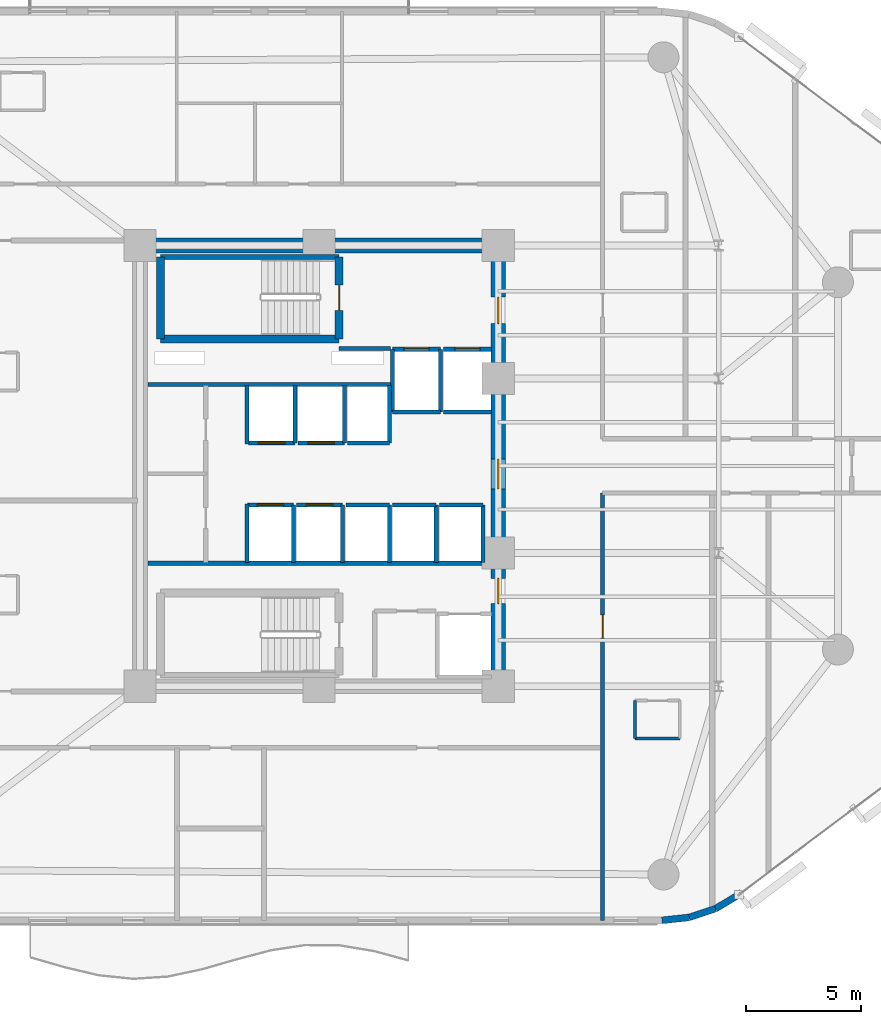
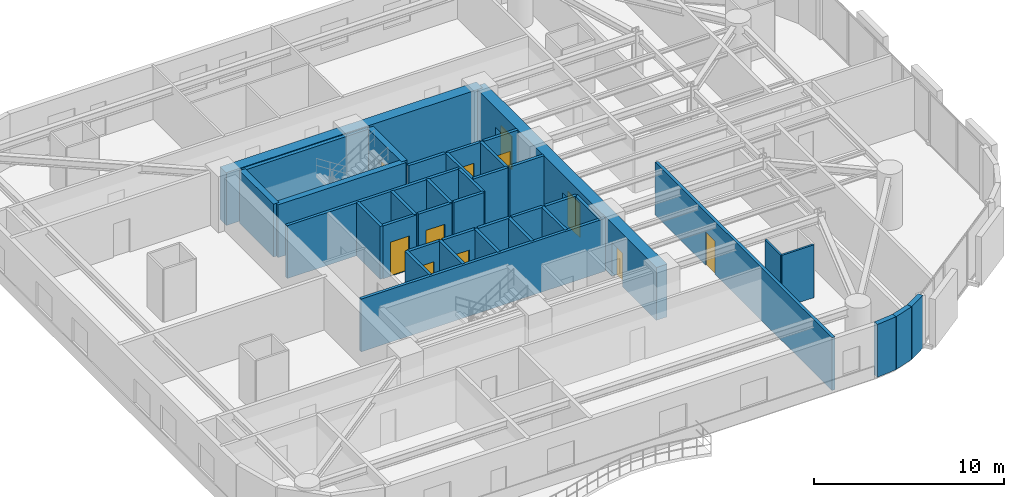
# One storey, part 11 of 16: 39 walls, 11 doors, 11 openings.
"""IFC4 building model written with IfcOpenShell, lengths in metres."""

from ifc_helpers import new_model, si_unit, direction, frame, frame_2d, origin, place, context, subcontext, project, spatial, rectangle, extrude, material, layer, layer_set, type_object, element, fill, save


model = new_model("IFC4")

# Units and contexts
model_context = context("Model", 3, precision=1e-05, world=origin(), true_north=direction((0.0, 1.0)))
body_context = subcontext(model_context, "Body", "Model", "MODEL_VIEW")
ifc_project = project(units=[si_unit("LENGTHUNIT", "METRE"), si_unit("AREAUNIT", "SQUARE_METRE"), si_unit("VOLUMEUNIT", "CUBIC_METRE"), si_unit("PLANEANGLEUNIT", "RADIAN"), si_unit("MASSUNIT", "GRAM", prefix="KILO")], contexts=[model_context])

# Site, building, storey
site_placement = place(None, origin())
site = spatial("IfcSite", under=ifc_project, at=site_placement, CompositionType="ELEMENT")
building_placement = place(site_placement, origin())
building = spatial("IfcBuilding", under=site, at=building_placement, Name="An Khanh Terracotta Commons", CompositionType="ELEMENT")
storey_placement = place(building_placement, frame((0.0, 0.0, 89.89990234375)))
storey = spatial("IfcBuildingStorey", under=building, at=storey_placement, Name="L23", CompositionType="ELEMENT", Elevation=89.89990234375)

# Wall
ifc_material_1 = material(Name="Concrete C60/75", Category="concrete")
ifc_layer_1 = layer(ifc_material_1, 0.64990234375, Name="Concrete C60/75")
ifc_layer_set_1 = layer_set([ifc_layer_1], Name="Concrete C60/75")
wall_type_1 = type_object("IfcWallType", Name="WALL-CORE-650", PredefinedType="SHEAR", material=ifc_layer_set_1)
wall_1_placement = place(storey_placement, frame((21.60009765625, 33.60009765625, 0.0), z_axis=(0.0, 0.0, 1.0), x_axis=(1.0, 0.0, 0.0)))
element("IfcWall", 1, at=wall_1_placement, inside=storey, type_object=wall_type_1, Name="L23 Core Wall CWALL-L23-N", PredefinedType="SHEAR", context=body_context, shape_type="SweptSolid", body=[
    extrude(rectangle(XDim=15.599853515625, YDim=0.64990234375, at=frame_2d((7.7998046875, 0.0))), origin(), (0.0, 0.0, 1.0), 3.400146484375),
])

# Wall, openings, doors
wall_2_placement = place(storey_placement, frame((37.199951171875, 14.39990234375, 0.0), z_axis=(0.0, 0.0, 1.0), x_axis=(0.0, 1.0, 0.0)))
wall_2 = element("IfcWall", 2, at=wall_2_placement, inside=storey, type_object=wall_type_1, Name="L23 Core Wall CWALL-L23-E", PredefinedType="SHEAR", context=body_context, shape_type="SweptSolid", body=[
    extrude(rectangle(XDim=19.2001953125, YDim=0.64990234375, at=frame_2d((9.60009765625, 0.0))), origin(), (0.0, 0.0, 1.0), 3.400146484375),
])
opening_1_placement = place(wall_2_placement, frame((15.800048828125, 0.0, 0.0)))
opening_1 = element("IfcOpeningElement", 3, at=opening_1_placement, cuts=wall_2, Name="Opening D-FFL", PredefinedType="OPENING", context=body_context, shape_type="SweptSolid", body=[
    extrude(rectangle(XDim=1.14990234375, YDim=2.14990234375, at=frame_2d((0.574951171875, 1.074951171875))), frame((0.0, 0.3349609375, 0.0), z_axis=(0.0, -1.0, 0.0), x_axis=(1.0, 0.0, 0.0)), (0.0, 0.0, 1.0), 0.669921875),
])
opening_2_placement = place(wall_2_placement, frame((3.60009765625, 0.0, 0.0)))
opening_2 = element("IfcOpeningElement", 4, at=opening_2_placement, cuts=wall_2, Name="Opening D-ST", PredefinedType="OPENING", context=body_context, shape_type="SweptSolid", body=[
    extrude(rectangle(XDim=1.10009765625, YDim=2.14990234375, at=frame_2d((0.550048828125, 1.074951171875))), frame((0.0, 0.3349609375, 0.0), z_axis=(0.0, -1.0, 0.0), x_axis=(1.0, 0.0, 0.0)), (0.0, 0.0, 1.0), 0.669921875),
])
opening_3_placement = place(wall_2_placement, frame((8.60009765625, 0.0, 0.0)))
opening_3 = element("IfcOpeningElement", 5, at=opening_3_placement, cuts=wall_2, Name="Opening D-COR", PredefinedType="OPENING", context=body_context, shape_type="SweptSolid", body=[
    extrude(rectangle(XDim=1.300048828125, YDim=2.199951171875, at=frame_2d((0.64990234375, 1.10009765625))), frame((0.0, 0.3349609375, 0.0), z_axis=(0.0, -1.0, 0.0), x_axis=(1.0, 0.0, 0.0)), (0.0, 0.0, 1.0), 0.669921875),
])
ifc_material_2 = material(Name="Fire-Rated Glazed Steel Double Door", Category="steel")
door_type_1 = type_object("IfcDoorType", Name="DOOR-CORR-1300", OperationType="NOTDEFINED", PredefinedType="DOOR", material=ifc_material_2)
door_1_placement = place(opening_3_placement, origin())
door_1 = element("IfcDoor", 6, at=door_1_placement, inside=storey, type_object=door_type_1, Name="L23 Passenger Lift Lobby Double Door", OperationType="DOUBLE_DOOR_SINGLE_SWING", OverallHeight=2.199951171875, OverallWidth=1.300048828125, PredefinedType="DOOR", context=body_context, shape_type="SweptSolid", body=[
    extrude(rectangle(XDim=1.300048828125, YDim=2.199951171875, at=frame_2d((0.64990234375, 1.10009765625))), frame((0.0, 0.02490234375, 0.0), z_axis=(0.0, -1.0, 0.0), x_axis=(1.0, 0.0, 0.0)), (0.0, 0.0, 1.0), 0.050048828125),
])
fill(opening_3, door_1)
ifc_material_3 = material(Name="Fire-Rated Steel Leaf and Vision Panel", Category="steel")
door_type_2 = type_object("IfcDoorType", Name="DOOR-FFL-1150", OperationType="NOTDEFINED", PredefinedType="DOOR", material=ifc_material_3)
door_2_placement = place(opening_1_placement, origin())
door_2 = element("IfcDoor", 7, at=door_2_placement, inside=storey, type_object=door_type_2, Name="L23 Firefighting Lift Lobby Fire Door", OperationType="SINGLE_SWING_LEFT", OverallHeight=2.14990234375, OverallWidth=1.14990234375, PredefinedType="DOOR", context=body_context, shape_type="SweptSolid", body=[
    extrude(rectangle(XDim=1.14990234375, YDim=2.14990234375, at=frame_2d((0.574951171875, 1.074951171875))), frame((0.0, 0.02490234375, 0.0), z_axis=(0.0, -1.0, 0.0), x_axis=(1.0, 0.0, 0.0)), (0.0, 0.0, 1.0), 0.050048828125),
])
fill(opening_1, door_2)
ifc_material_4 = material(Name="Fire-Rated Steel Leaf and Frame", Category="steel")
door_type_3 = type_object("IfcDoorType", Name="DOOR-STAIR-1100", OperationType="NOTDEFINED", PredefinedType="DOOR", material=ifc_material_4)
door_3_placement = place(opening_2_placement, origin())
door_3 = element("IfcDoor", 8, at=door_3_placement, inside=storey, type_object=door_type_3, Name="L23 South Stair Lobby Fire Door", OperationType="SINGLE_SWING_RIGHT", OverallHeight=2.14990234375, OverallWidth=1.10009765625, PredefinedType="DOOR", context=body_context, shape_type="SweptSolid", body=[
    extrude(rectangle(XDim=1.10009765625, YDim=2.14990234375, at=frame_2d((0.550048828125, 1.074951171875))), frame((0.0, 0.02490234375, 0.0), z_axis=(0.0, -1.0, 0.0), x_axis=(1.0, 0.0, 0.0)), (0.0, 0.0, 1.0), 0.050048828125),
])
fill(opening_2, door_3)

# Walls
ifc_material_5 = material(Name="Fire-Rated Gypsum Board on Steel Stud", Category="steel")
ifc_layer_2 = layer(ifc_material_5, 0.179931640625, Name="Fire-Rated Gypsum Board on Steel Stud")
ifc_layer_set_2 = layer_set([ifc_layer_2], Name="Fire-Rated Gypsum Board on Steel Stud")
wall_type_2 = type_object("IfcWallType", Name="WALL-CORR-180", PredefinedType="PARTITIONING", material=ifc_layer_set_2)
wall_3_placement = place(storey_placement, frame((30.27001953125, 29.1201171875, 0.0), z_axis=(0.0, 0.0, 1.0), x_axis=(1.0, 0.0, 0.0)))
element("IfcWall", 9, at=wall_3_placement, inside=storey, type_object=wall_type_2, Name="L23 Core Wall FFLW-L23-S", PredefinedType="PARTITIONING", context=body_context, shape_type="SweptSolid", body=[
    extrude(rectangle(XDim=2.239990234375, YDim=0.179931640625, at=frame_2d((1.1201171875, 0.0))), origin(), (0.0, 0.0, 1.0), 3.400146484375),
])
wall_4_placement = place(storey_placement, frame((21.949951171875, 27.5400390625, 0.0), z_axis=(0.0, 0.0, 1.0), x_axis=(1.0, 0.0, 0.0)))
element("IfcWall", 10, at=wall_4_placement, inside=storey, type_object=wall_type_2, Name="L23 Core Wall RSRW-L23-S", PredefinedType="PARTITIONING", context=body_context, shape_type="SweptSolid", body=[
    extrude(rectangle(XDim=10.56005859375, YDim=0.179931640625, at=frame_2d((5.280029296875, 0.0))), origin(), (0.0, 0.0, 1.0), 3.400146484375),
])
wall_5_placement = place(storey_placement, frame((21.949951171875, 19.760009765625, 0.0), z_axis=(0.0, 0.0, 1.0), x_axis=(1.0, 0.0, 0.0)))
element("IfcWall", 11, at=wall_5_placement, inside=storey, type_object=wall_type_2, Name="L23 Core Wall SVW-L23-N", PredefinedType="PARTITIONING", context=body_context, shape_type="SweptSolid", body=[
    extrude(rectangle(XDim=14.8701171875, YDim=0.179931640625, at=frame_2d((7.43505859375, 0.0))), origin(), (0.0, 0.0, 1.0), 3.400146484375),
])

# Wall, opening, door
wall_6_placement = place(storey_placement, frame((32.60009765625, 29.080078125, 0.0), z_axis=(0.0, 0.0, 1.0), x_axis=(1.0, 0.0, 0.0)))
wall_6 = element("IfcWall", 12, at=wall_6_placement, inside=storey, type_object=wall_type_2, Name="L23 Core Wall LSH-L23-FFL-01-N", PredefinedType="PARTITIONING", context=body_context, shape_type="SweptSolid", body=[
    extrude(rectangle(XDim=2.079833984375, YDim=0.179931640625, at=frame_2d((1.0400390625, 0.0))), origin(), (0.0, 0.0, 1.0), 3.400146484375),
])
opening_4_placement = place(wall_6_placement, frame((0.489990234375, 0.0, 0.0)))
opening_4 = element("IfcOpeningElement", 13, at=opening_4_placement, cuts=wall_6, Name="Opening LD-FFL-01-L23", PredefinedType="OPENING", context=body_context, shape_type="SweptSolid", body=[
    extrude(rectangle(XDim=1.10009765625, YDim=2.199951171875, at=frame_2d((0.550048828125, 1.10009765625))), frame((0.0, 0.099853515625, 0.0), z_axis=(0.0, -1.0, 0.0), x_axis=(1.0, 0.0, 0.0)), (0.0, 0.0, 1.0), 0.199951171875),
])
ifc_material_6 = material(Name="Brushed Stainless Steel Fire Landing Door", Category="steel")
door_type_4 = type_object("IfcDoorType", Name="DOOR-LD-FFL-1100", OperationType="NOTDEFINED", PredefinedType="DOOR", material=ifc_material_6)
door_4_placement = place(opening_4_placement, origin())
door_4 = element("IfcDoor", 14, at=door_4_placement, inside=storey, type_object=door_type_4, Name="L23 Lift FFL-01 Sliding Landing Door", OperationType="DOUBLE_DOOR_SLIDING", OverallHeight=2.199951171875, OverallWidth=1.10009765625, PredefinedType="DOOR", context=body_context, shape_type="SweptSolid", body=[
    extrude(rectangle(XDim=1.10009765625, YDim=2.199951171875, at=frame_2d((0.550048828125, 1.10009765625))), frame((0.0, 0.02490234375, 0.0), z_axis=(0.0, -1.0, 0.0), x_axis=(1.0, 0.0, 0.0)), (0.0, 0.0, 1.0), 0.050048828125),
])
fill(opening_4, door_4)

# Walls
wall_7_placement = place(storey_placement, frame((34.679931640625, 26.35009765625, 0.0), z_axis=(0.0, 0.0, 1.0), x_axis=(-1.0, 0.0, 0.0)))
element("IfcWall", 15, at=wall_7_placement, inside=storey, type_object=wall_type_2, Name="L23 Core Wall LSH-L23-FFL-01-S", PredefinedType="PARTITIONING", context=body_context, shape_type="SweptSolid", body=[
    extrude(rectangle(XDim=2.079833984375, YDim=0.179931640625, at=frame_2d((1.0400390625, 0.0))), origin(), (0.0, 0.0, 1.0), 3.400146484375),
])
for number, where, z_axis, x_axis, name in (
    (16, (34.679931640625, 26.35009765625, 0.0), (0.0, 0.0, 1.0), (0.0, 1.0, 0.0), "L23 Core Wall LSH-L23-FFL-01-E"),
    (17, (32.60009765625, 29.080078125, 0.0), (0.0, 0.0, 1.0), (0.0, -1.0, 0.0), "L23 Core Wall LSH-L23-FFL-01-W"),
):
    element("IfcWall", number, at=place(storey_placement, frame(where, z_axis=z_axis, x_axis=x_axis)), inside=storey, type_object=wall_type_2, Name=name, PredefinedType="PARTITIONING", context=body_context, shape_type="SweptSolid", body=[
        extrude(rectangle(XDim=2.72998046875, YDim=0.179931640625, at=frame_2d((1.364990234375, 0.0))), origin(), (0.0, 0.0, 1.0), 3.400146484375),
    ])

# Wall, opening, door
wall_8_placement = place(storey_placement, frame((34.820068359375, 29.080078125, 0.0), z_axis=(0.0, 0.0, 1.0), x_axis=(1.0, 0.0, 0.0)))
wall_8 = element("IfcWall", 18, at=wall_8_placement, inside=storey, type_object=wall_type_2, Name="L23 Core Wall LSH-L23-FFL-02-N", PredefinedType="PARTITIONING", context=body_context, shape_type="SweptSolid", body=[
    extrude(rectangle(XDim=2.079833984375, YDim=0.179931640625, at=frame_2d((1.0400390625, 0.0))), origin(), (0.0, 0.0, 1.0), 3.400146484375),
])
opening_5_placement = place(wall_8_placement, frame((0.489990234375, 0.0, 0.0)))
opening_5 = element("IfcOpeningElement", 19, at=opening_5_placement, cuts=wall_8, Name="Opening LD-FFL-02-L23", PredefinedType="OPENING", context=body_context, shape_type="SweptSolid", body=[
    extrude(rectangle(XDim=1.10009765625, YDim=2.199951171875, at=frame_2d((0.550048828125, 1.10009765625))), frame((0.0, 0.099853515625, 0.0), z_axis=(0.0, -1.0, 0.0), x_axis=(1.0, 0.0, 0.0)), (0.0, 0.0, 1.0), 0.199951171875),
])
door_5_placement = place(opening_5_placement, origin())
door_5 = element("IfcDoor", 20, at=door_5_placement, inside=storey, type_object=door_type_4, Name="L23 Lift FFL-02 Sliding Landing Door", OperationType="DOUBLE_DOOR_SLIDING", OverallHeight=2.199951171875, OverallWidth=1.10009765625, PredefinedType="DOOR", context=body_context, shape_type="SweptSolid", body=[
    extrude(rectangle(XDim=1.10009765625, YDim=2.199951171875, at=frame_2d((0.550048828125, 1.10009765625))), frame((0.0, 0.02490234375, 0.0), z_axis=(0.0, -1.0, 0.0), x_axis=(1.0, 0.0, 0.0)), (0.0, 0.0, 1.0), 0.050048828125),
])
fill(opening_5, door_5)

# Wall
wall_9_placement = place(storey_placement, frame((36.89990234375, 26.35009765625, 0.0), z_axis=(0.0, 0.0, 1.0), x_axis=(-1.0, 0.0, 0.0)))
element("IfcWall", 21, at=wall_9_placement, inside=storey, type_object=wall_type_2, Name="L23 Core Wall LSH-L23-FFL-02-S", PredefinedType="PARTITIONING", context=body_context, shape_type="SweptSolid", body=[
    extrude(rectangle(XDim=2.079833984375, YDim=0.179931640625, at=frame_2d((1.0400390625, 0.0))), origin(), (0.0, 0.0, 1.0), 3.400146484375),
])

# Wall, opening, door
wall_10_placement = place(storey_placement, frame((28.340087890625, 25.0, 0.0), z_axis=(0.0, 0.0, 1.0), x_axis=(-1.0, 0.0, 0.0)))
wall_10 = element("IfcWall", 22, at=wall_10_placement, inside=storey, type_object=wall_type_2, Name="L23 Core Wall LSH-L23-PL-M1-S", PredefinedType="PARTITIONING", context=body_context, shape_type="SweptSolid", body=[
    extrude(rectangle(XDim=2.02001953125, YDim=0.179931640625, at=frame_2d((1.010009765625, 0.0))), origin(), (0.0, 0.0, 1.0), 3.400146484375),
])
opening_6_placement = place(wall_10_placement, frame((0.43505859375, 0.0, 0.0)))
opening_6 = element("IfcOpeningElement", 23, at=opening_6_placement, cuts=wall_10, Name="Opening LD-PL-M1-L23", PredefinedType="OPENING", context=body_context, shape_type="SweptSolid", body=[
    extrude(rectangle(XDim=1.14990234375, YDim=2.199951171875, at=frame_2d((0.574951171875, 1.10009765625))), frame((0.0, 0.099853515625, 0.0), z_axis=(0.0, -1.0, 0.0), x_axis=(1.0, 0.0, 0.0)), (0.0, 0.0, 1.0), 0.199951171875),
])
ifc_material_7 = material(Name="Brushed Stainless Steel Passenger Landing Door", Category="steel")
door_type_5 = type_object("IfcDoorType", Name="DOOR-LD-PAX-1150", OperationType="NOTDEFINED", PredefinedType="DOOR", material=ifc_material_7)
door_6_placement = place(opening_6_placement, origin())
door_6 = element("IfcDoor", 24, at=door_6_placement, inside=storey, type_object=door_type_5, Name="L23 Lift PL-M1 Sliding Landing Door", OperationType="DOUBLE_DOOR_SLIDING", OverallHeight=2.199951171875, OverallWidth=1.14990234375, PredefinedType="DOOR", context=body_context, shape_type="SweptSolid", body=[
    extrude(rectangle(XDim=1.14990234375, YDim=2.199951171875, at=frame_2d((0.574951171875, 1.10009765625))), frame((0.0, 0.02490234375, 0.0), z_axis=(0.0, -1.0, 0.0), x_axis=(1.0, 0.0, 0.0)), (0.0, 0.0, 1.0), 0.050048828125),
])
fill(opening_6, door_6)

# Wall
wall_11_placement = place(storey_placement, frame((28.340087890625, 25.0, 0.0), z_axis=(0.0, 0.0, 1.0), x_axis=(0.0, 1.0, 0.0)))
element("IfcWall", 25, at=wall_11_placement, inside=storey, type_object=wall_type_2, Name="L23 Core Wall LSH-L23-PL-M1-E", PredefinedType="PARTITIONING", context=body_context, shape_type="SweptSolid", body=[
    extrude(rectangle(XDim=2.5, YDim=0.179931640625, at=frame_2d((1.25, 0.0))), origin(), (0.0, 0.0, 1.0), 3.400146484375),
])

# Wall, opening, door
wall_12_placement = place(storey_placement, frame((30.5, 25.0, 0.0), z_axis=(0.0, 0.0, 1.0), x_axis=(-1.0, 0.0, 0.0)))
wall_12 = element("IfcWall", 26, at=wall_12_placement, inside=storey, type_object=wall_type_2, Name="L23 Core Wall LSH-L23-PL-M2-S", PredefinedType="PARTITIONING", context=body_context, shape_type="SweptSolid", body=[
    extrude(rectangle(XDim=2.02001953125, YDim=0.179931640625, at=frame_2d((1.010009765625, 0.0))), origin(), (0.0, 0.0, 1.0), 3.400146484375),
])
opening_7_placement = place(wall_12_placement, frame((0.43505859375, 0.0, 0.0)))
opening_7 = element("IfcOpeningElement", 27, at=opening_7_placement, cuts=wall_12, Name="Opening LD-PL-M2-L23", PredefinedType="OPENING", context=body_context, shape_type="SweptSolid", body=[
    extrude(rectangle(XDim=1.14990234375, YDim=2.199951171875, at=frame_2d((0.574951171875, 1.10009765625))), frame((0.0, 0.099853515625, 0.0), z_axis=(0.0, -1.0, 0.0), x_axis=(1.0, 0.0, 0.0)), (0.0, 0.0, 1.0), 0.199951171875),
])
door_7_placement = place(opening_7_placement, origin())
door_7 = element("IfcDoor", 28, at=door_7_placement, inside=storey, type_object=door_type_5, Name="L23 Lift PL-M2 Sliding Landing Door", OperationType="DOUBLE_DOOR_SLIDING", OverallHeight=2.199951171875, OverallWidth=1.14990234375, PredefinedType="DOOR", context=body_context, shape_type="SweptSolid", body=[
    extrude(rectangle(XDim=1.14990234375, YDim=2.199951171875, at=frame_2d((0.574951171875, 1.10009765625))), frame((0.0, 0.02490234375, 0.0), z_axis=(0.0, -1.0, 0.0), x_axis=(1.0, 0.0, 0.0)), (0.0, 0.0, 1.0), 0.050048828125),
])
fill(opening_7, door_7)

# Wall
wall_13_placement = place(storey_placement, frame((30.5, 25.0, 0.0), z_axis=(0.0, 0.0, 1.0), x_axis=(0.0, 1.0, 0.0)))
element("IfcWall", 29, at=wall_13_placement, inside=storey, type_object=wall_type_2, Name="L23 Core Wall LSH-L23-PL-M2-E", PredefinedType="PARTITIONING", context=body_context, shape_type="SweptSolid", body=[
    extrude(rectangle(XDim=2.5, YDim=0.179931640625, at=frame_2d((1.25, 0.0))), origin(), (0.0, 0.0, 1.0), 3.400146484375),
])

# Wall, opening, door
wall_14_placement = place(storey_placement, frame((26.280029296875, 22.300048828125, 0.0), z_axis=(0.0, 0.0, 1.0), x_axis=(1.0, 0.0, 0.0)))
wall_14 = element("IfcWall", 30, at=wall_14_placement, inside=storey, type_object=wall_type_2, Name="L23 Core Wall LSH-L23-PL-M3-N", PredefinedType="PARTITIONING", context=body_context, shape_type="SweptSolid", body=[
    extrude(rectangle(XDim=2.0, YDim=0.179931640625, at=frame_2d((1.0, 0.0))), origin(), (0.0, 0.0, 1.0), 3.400146484375),
])
opening_8_placement = place(wall_14_placement, frame((0.425048828125, 0.0, 0.0)))
opening_8 = element("IfcOpeningElement", 31, at=opening_8_placement, cuts=wall_14, Name="Opening LD-PL-M3-L23", PredefinedType="OPENING", context=body_context, shape_type="SweptSolid", body=[
    extrude(rectangle(XDim=1.14990234375, YDim=2.199951171875, at=frame_2d((0.574951171875, 1.10009765625))), frame((0.0, 0.099853515625, 0.0), z_axis=(0.0, -1.0, 0.0), x_axis=(1.0, 0.0, 0.0)), (0.0, 0.0, 1.0), 0.199951171875),
])
door_8_placement = place(opening_8_placement, origin())
door_8 = element("IfcDoor", 32, at=door_8_placement, inside=storey, type_object=door_type_5, Name="L23 Lift PL-M3 Sliding Landing Door", OperationType="DOUBLE_DOOR_SLIDING", OverallHeight=2.199951171875, OverallWidth=1.14990234375, PredefinedType="DOOR", context=body_context, shape_type="SweptSolid", body=[
    extrude(rectangle(XDim=1.14990234375, YDim=2.199951171875, at=frame_2d((0.574951171875, 1.10009765625))), frame((0.0, 0.02490234375, 0.0), z_axis=(0.0, -1.0, 0.0), x_axis=(1.0, 0.0, 0.0)), (0.0, 0.0, 1.0), 0.050048828125),
])
fill(opening_8, door_8)

# Wall
wall_15_placement = place(storey_placement, frame((28.280029296875, 19.800048828125, 0.0), z_axis=(0.0, 0.0, 1.0), x_axis=(0.0, 1.0, 0.0)))
element("IfcWall", 33, at=wall_15_placement, inside=storey, type_object=wall_type_2, Name="L23 Core Wall LSH-L23-PL-M3-E", PredefinedType="PARTITIONING", context=body_context, shape_type="SweptSolid", body=[
    extrude(rectangle(XDim=2.5, YDim=0.179931640625, at=frame_2d((1.25, 0.0))), origin(), (0.0, 0.0, 1.0), 3.400146484375),
])

# Wall, opening, door
wall_16_placement = place(storey_placement, frame((28.419921875, 22.300048828125, 0.0), z_axis=(0.0, 0.0, 1.0), x_axis=(1.0, 0.0, 0.0)))
wall_16 = element("IfcWall", 34, at=wall_16_placement, inside=storey, type_object=wall_type_2, Name="L23 Core Wall LSH-L23-PL-M4-N", PredefinedType="PARTITIONING", context=body_context, shape_type="SweptSolid", body=[
    extrude(rectangle(XDim=2.0, YDim=0.179931640625, at=frame_2d((1.0, 0.0))), origin(), (0.0, 0.0, 1.0), 3.400146484375),
])
opening_9_placement = place(wall_16_placement, frame((0.425048828125, 0.0, 0.0)))
opening_9 = element("IfcOpeningElement", 35, at=opening_9_placement, cuts=wall_16, Name="Opening LD-PL-M4-L23", PredefinedType="OPENING", context=body_context, shape_type="SweptSolid", body=[
    extrude(rectangle(XDim=1.14990234375, YDim=2.199951171875, at=frame_2d((0.574951171875, 1.10009765625))), frame((0.0, 0.099853515625, 0.0), z_axis=(0.0, -1.0, 0.0), x_axis=(1.0, 0.0, 0.0)), (0.0, 0.0, 1.0), 0.199951171875),
])
door_9_placement = place(opening_9_placement, origin())
door_9 = element("IfcDoor", 36, at=door_9_placement, inside=storey, type_object=door_type_5, Name="L23 Lift PL-M4 Sliding Landing Door", OperationType="DOUBLE_DOOR_SLIDING", OverallHeight=2.199951171875, OverallWidth=1.14990234375, PredefinedType="DOOR", context=body_context, shape_type="SweptSolid", body=[
    extrude(rectangle(XDim=1.14990234375, YDim=2.199951171875, at=frame_2d((0.574951171875, 1.10009765625))), frame((0.0, 0.02490234375, 0.0), z_axis=(0.0, -1.0, 0.0), x_axis=(1.0, 0.0, 0.0)), (0.0, 0.0, 1.0), 0.050048828125),
])
fill(opening_9, door_9)

# Walls
wall_17_placement = place(storey_placement, frame((30.419921875, 19.800048828125, 0.0), z_axis=(0.0, 0.0, 1.0), x_axis=(0.0, 1.0, 0.0)))
element("IfcWall", 37, at=wall_17_placement, inside=storey, type_object=wall_type_2, Name="L23 Core Wall LSH-L23-PL-M4-E", PredefinedType="PARTITIONING", context=body_context, shape_type="SweptSolid", body=[
    extrude(rectangle(XDim=2.5, YDim=0.179931640625, at=frame_2d((1.25, 0.0))), origin(), (0.0, 0.0, 1.0), 3.400146484375),
])
wall_18_placement = place(storey_placement, frame((32.4599609375, 25.0, 0.0), z_axis=(0.0, 0.0, 1.0), x_axis=(-1.0, 0.0, 0.0)))
element("IfcWall", 38, at=wall_18_placement, inside=storey, type_object=wall_type_2, Name="L23 Core Wall LSH-L23-PL-H1-S", PredefinedType="PARTITIONING", context=body_context, shape_type="SweptSolid", body=[
    extrude(rectangle(XDim=1.820068359375, YDim=0.179931640625, at=frame_2d((0.91015625, 0.0))), origin(), (0.0, 0.0, 1.0), 3.400146484375),
])
wall_19_placement = place(storey_placement, frame((32.4599609375, 25.0, 0.0), z_axis=(0.0, 0.0, 1.0), x_axis=(0.0, 1.0, 0.0)))
element("IfcWall", 39, at=wall_19_placement, inside=storey, type_object=wall_type_2, Name="L23 Core Wall LSH-L23-PL-H1-E", PredefinedType="PARTITIONING", context=body_context, shape_type="SweptSolid", body=[
    extrude(rectangle(XDim=2.5, YDim=0.179931640625, at=frame_2d((1.25, 0.0))), origin(), (0.0, 0.0, 1.0), 3.400146484375),
])
wall_20_placement = place(storey_placement, frame((30.56005859375, 22.300048828125, 0.0), z_axis=(0.0, 0.0, 1.0), x_axis=(1.0, 0.0, 0.0)))
element("IfcWall", 40, at=wall_20_placement, inside=storey, type_object=wall_type_2, Name="L23 Core Wall LSH-L23-PL-H2-N", PredefinedType="PARTITIONING", context=body_context, shape_type="SweptSolid", body=[
    extrude(rectangle(XDim=1.89990234375, YDim=0.179931640625, at=frame_2d((0.949951171875, 0.0))), origin(), (0.0, 0.0, 1.0), 3.400146484375),
])
wall_21_placement = place(storey_placement, frame((32.4599609375, 19.800048828125, 0.0), z_axis=(0.0, 0.0, 1.0), x_axis=(0.0, 1.0, 0.0)))
element("IfcWall", 41, at=wall_21_placement, inside=storey, type_object=wall_type_2, Name="L23 Core Wall LSH-L23-PL-H2-E", PredefinedType="PARTITIONING", context=body_context, shape_type="SweptSolid", body=[
    extrude(rectangle(XDim=2.5, YDim=0.179931640625, at=frame_2d((1.25, 0.0))), origin(), (0.0, 0.0, 1.0), 3.400146484375),
])
wall_22_placement = place(storey_placement, frame((32.60009765625, 22.300048828125, 0.0), z_axis=(0.0, 0.0, 1.0), x_axis=(1.0, 0.0, 0.0)))
element("IfcWall", 42, at=wall_22_placement, inside=storey, type_object=wall_type_2, Name="L23 Core Wall LSH-L23-PL-H3-N", PredefinedType="PARTITIONING", context=body_context, shape_type="SweptSolid", body=[
    extrude(rectangle(XDim=1.89990234375, YDim=0.179931640625, at=frame_2d((0.949951171875, 0.0))), origin(), (0.0, 0.0, 1.0), 3.400146484375),
])
wall_23_placement = place(storey_placement, frame((34.5, 19.800048828125, 0.0), z_axis=(0.0, 0.0, 1.0), x_axis=(0.0, 1.0, 0.0)))
element("IfcWall", 43, at=wall_23_placement, inside=storey, type_object=wall_type_2, Name="L23 Core Wall LSH-L23-PL-H3-E", PredefinedType="PARTITIONING", context=body_context, shape_type="SweptSolid", body=[
    extrude(rectangle(XDim=2.5, YDim=0.179931640625, at=frame_2d((1.25, 0.0))), origin(), (0.0, 0.0, 1.0), 3.400146484375),
])
wall_24_placement = place(storey_placement, frame((34.639892578125, 22.300048828125, 0.0), z_axis=(0.0, 0.0, 1.0), x_axis=(1.0, 0.0, 0.0)))
element("IfcWall", 44, at=wall_24_placement, inside=storey, type_object=wall_type_2, Name="L23 Core Wall LSH-L23-PL-H4-N", PredefinedType="PARTITIONING", context=body_context, shape_type="SweptSolid", body=[
    extrude(rectangle(XDim=1.900146484375, YDim=0.179931640625, at=frame_2d((0.9501953125, 0.0))), origin(), (0.0, 0.0, 1.0), 3.400146484375),
])
wall_25_placement = place(storey_placement, frame((36.5400390625, 19.800048828125, 0.0), z_axis=(0.0, 0.0, 1.0), x_axis=(0.0, 1.0, 0.0)))
element("IfcWall", 45, at=wall_25_placement, inside=storey, type_object=wall_type_2, Name="L23 Core Wall LSH-L23-PL-H4-E", PredefinedType="PARTITIONING", context=body_context, shape_type="SweptSolid", body=[
    extrude(rectangle(XDim=2.5, YDim=0.179931640625, at=frame_2d((1.25, 0.0))), origin(), (0.0, 0.0, 1.0), 3.400146484375),
])
for number, where, z_axis, x_axis, name in (
    (46, (26.25, 24.949951171875, 0.0), (0.0, 0.0, 1.0), (0.0, 1.0, 0.0), "L23 Core Wall RECW-L23-BE1"),
    (47, (26.25, 19.800048828125, 0.0), (0.0, 0.0, 1.0), (0.0, 1.0, 0.0), "L23 Core Wall RECW-L23-BE2"),
):
    element("IfcWall", number, at=place(storey_placement, frame(where, z_axis=z_axis, x_axis=x_axis)), inside=storey, type_object=wall_type_2, Name=name, PredefinedType="PARTITIONING", context=body_context, shape_type="SweptSolid", body=[
        extrude(rectangle(XDim=2.550048828125, YDim=0.179931640625, at=frame_2d((1.27490234375, 0.0))), origin(), (0.0, 0.0, 1.0), 3.400146484375),
    ])

# Wall, opening, door
wall_26_placement = place(storey_placement, frame((41.75, 4.199951171875, 0.0), z_axis=(0.0, 0.0, 1.0), x_axis=(0.0, 1.0, 0.0)))
wall_26 = element("IfcWall", 48, at=wall_26_placement, inside=storey, type_object=wall_type_2, Name="L23 Interior Partition IW-L23-E018", PredefinedType="PARTITIONING", context=body_context, shape_type="SweptSolid", body=[
    extrude(rectangle(XDim=18.6201171875, YDim=0.179931640625, at=frame_2d((9.31005859375, 0.0))), origin(), (0.0, 0.0, 1.0), 3.400146484375),
])
opening_10_placement = place(wall_26_placement, frame((12.31005859375, 0.0, 0.0)))
opening_10 = element("IfcOpeningElement", 49, at=opening_10_placement, cuts=wall_26, Name="Opening D-UN", PredefinedType="OPENING", context=body_context, shape_type="SweptSolid", body=[
    extrude(rectangle(XDim=1.0, YDim=2.14990234375, at=frame_2d((0.5, 1.074951171875))), frame((0.0, 0.099853515625, 0.0), z_axis=(0.0, -1.0, 0.0), x_axis=(1.0, 0.0, 0.0)), (0.0, 0.0, 1.0), 0.199951171875),
])
ifc_material_8 = material(Name="Solid-Core Hardwood Acoustic Fire Door", Category="wood")
door_type_6 = type_object("IfcDoorType", Name="DOOR-UNIT-1000", OperationType="NOTDEFINED", PredefinedType="DOOR", material=ifc_material_8)
door_10_placement = place(opening_10_placement, origin())
door_10 = element("IfcDoor", 50, at=door_10_placement, inside=storey, type_object=door_type_6, Name="L23 SB1 Kitchenette and Studio Apartment Door", OperationType="SINGLE_SWING_RIGHT", OverallHeight=2.14990234375, OverallWidth=1.0, PredefinedType="DOOR", context=body_context, shape_type="SweptSolid", body=[
    extrude(rectangle(XDim=1.0, YDim=2.14990234375, at=frame_2d((0.5, 1.074951171875))), frame((0.0, 0.02490234375, 0.0), z_axis=(0.0, -1.0, 0.0), x_axis=(1.0, 0.0, 0.0)), (0.0, 0.0, 1.0), 0.050048828125),
])
fill(opening_10, door_10)

# Walls
ifc_material_9 = material(Name="Precast concrete C40/50", Category="concrete")
ifc_layer_3 = layer(ifc_material_9, 0.300048828125, Name="Precast concrete C40/50")
ifc_layer_set_3 = layer_set([ifc_layer_3], Name="Precast concrete C40/50")
wall_type_3 = type_object("IfcWallType", Name="WALL-EXT-300", PredefinedType="SOLIDWALL", material=ifc_layer_set_3)
wall_27_placement = place(storey_placement, frame((44.3330078125, 4.199951171875, 0.0), z_axis=(0.0, 0.0, 1.0), x_axis=(0.994289103787, 0.106720092254, 0.0)))
element("IfcWall", 51, at=wall_27_placement, inside=storey, type_object=wall_type_3, Name="L23 Insulated Terracotta Exterior Wall 5", PredefinedType="SOLIDWALL", context=body_context, shape_type="SweptSolid", body=[
    extrude(rectangle(XDim=1.19873046875, YDim=0.300048828125, at=frame_2d((0.599365234375, 0.0))), origin(), (0.0, 0.0, 1.0), 3.400146484375),
])
wall_28_placement = place(storey_placement, frame((45.52490234375, 4.327880859375, 0.0), z_axis=(0.0, 0.0, 1.0), x_axis=(0.948744332129, 0.316044604847, 0.0)))
element("IfcWall", 52, at=wall_28_placement, inside=storey, type_object=wall_type_3, Name="L23 Insulated Terracotta Exterior Wall 6", PredefinedType="SOLIDWALL", context=body_context, shape_type="SweptSolid", body=[
    extrude(rectangle(XDim=1.19970703125, YDim=0.300048828125, at=frame_2d((0.599853515625, 0.0))), origin(), (0.0, 0.0, 1.0), 3.400146484375),
])
wall_29_placement = place(storey_placement, frame((46.6630859375, 4.70703125, 0.0), z_axis=(0.0, 0.0, 1.0), x_axis=(0.859320591642, 0.511437308749, 0.0)))
element("IfcWall", 53, at=wall_29_placement, inside=storey, type_object=wall_type_3, Name="L23 Insulated Terracotta Exterior Wall 7", PredefinedType="SOLIDWALL", context=body_context, shape_type="SweptSolid", body=[
    extrude(rectangle(XDim=1.19873046875, YDim=0.300048828125, at=frame_2d((0.599365234375, 0.0))), origin(), (0.0, 0.0, 1.0), 3.400146484375),
])
ifc_material_10 = material(Name="Acoustic Double-Stud Gypsum and Mineral Wool")
ifc_layer_4 = layer(ifc_material_10, 0.219970703125, Name="Acoustic Double-Stud Gypsum and Mineral Wool")
ifc_layer_set_4 = layer_set([ifc_layer_4], Name="Acoustic Double-Stud Gypsum and Mineral Wool")
wall_type_4 = type_object("IfcWallType", Name="WALL-PARTY-220", PredefinedType="PARTITIONING", material=ifc_layer_set_4)
wall_30_placement = place(storey_placement, frame((22.47998046875, 33.110107421875, 0.0), z_axis=(0.0, 0.0, 1.0), x_axis=(1.0, 0.0, 0.0)))
element("IfcWall", 54, at=wall_30_placement, inside=storey, type_object=wall_type_4, Name="L23 Core Wall STW-L23-N-N", PredefinedType="PARTITIONING", context=body_context, shape_type="SweptSolid", body=[
    extrude(rectangle(XDim=7.7900390625, YDim=0.219970703125, at=frame_2d((3.89501953125, 0.0))), origin(), (0.0, 0.0, 1.0), 3.400146484375),
])
ifc_material_11 = material(Name="Concrete C50/60", Category="concrete")
ifc_layer_5 = layer(ifc_material_11, 0.35009765625, Name="Concrete C50/60")
ifc_layer_set_5 = layer_set([ifc_layer_5], Name="Concrete C50/60")
wall_type_5 = type_object("IfcWallType", Name="WALL-SHAFT-350", PredefinedType="SOLIDWALL", material=ifc_layer_set_5)
wall_31_placement = place(storey_placement, frame((22.47998046875, 29.530029296875, 0.0), z_axis=(0.0, 0.0, 1.0), x_axis=(1.0, 0.0, 0.0)))
element("IfcWall", 55, at=wall_31_placement, inside=storey, type_object=wall_type_5, Name="L23 Core Wall STW-L23-N-S", PredefinedType="SOLIDWALL", context=body_context, shape_type="SweptSolid", body=[
    extrude(rectangle(XDim=7.7900390625, YDim=0.35009765625, at=frame_2d((3.89501953125, 0.0))), origin(), (0.0, 0.0, 1.0), 3.400146484375),
])
wall_32_placement = place(storey_placement, frame((22.47998046875, 29.530029296875, 0.0), z_axis=(0.0, 0.0, 1.0), x_axis=(0.0, 1.0, 0.0)))
element("IfcWall", 56, at=wall_32_placement, inside=storey, type_object=wall_type_5, Name="L23 Core Wall STW-L23-N-W", PredefinedType="SOLIDWALL", context=body_context, shape_type="SweptSolid", body=[
    extrude(rectangle(XDim=3.580078125, YDim=0.35009765625, at=frame_2d((1.7900390625, 0.0))), origin(), (0.0, 0.0, 1.0), 3.400146484375),
])

# Wall, opening, door
wall_33_placement = place(storey_placement, frame((30.27001953125, 29.530029296875, 0.0), z_axis=(0.0, 0.0, 1.0), x_axis=(0.0, 1.0, 0.0)))
wall_33 = element("IfcWall", 57, at=wall_33_placement, inside=storey, type_object=wall_type_5, Name="L23 Core Wall STW-L23-N-E", PredefinedType="SOLIDWALL", context=body_context, shape_type="SweptSolid", body=[
    extrude(rectangle(XDim=3.580078125, YDim=0.35009765625, at=frame_2d((1.7900390625, 0.0))), origin(), (0.0, 0.0, 1.0), 3.400146484375),
])
opening_11_placement = place(wall_33_placement, frame((1.25, 0.0, 0.0)))
opening_11 = element("IfcOpeningElement", 58, at=opening_11_placement, cuts=wall_33, Name="Opening D-ST", PredefinedType="OPENING", context=body_context, shape_type="SweptSolid", body=[
    extrude(rectangle(XDim=1.10009765625, YDim=2.14990234375, at=frame_2d((0.550048828125, 1.074951171875))), frame((0.0, 0.18505859375, 0.0), z_axis=(0.0, -1.0, 0.0), x_axis=(1.0, 0.0, 0.0)), (0.0, 0.0, 1.0), 0.3701171875),
])
door_11_placement = place(opening_11_placement, origin())
door_11 = element("IfcDoor", 59, at=door_11_placement, inside=storey, type_object=door_type_3, Name="L23 Stair ST-01 Fire Door", OperationType="SINGLE_SWING_LEFT", OverallHeight=2.14990234375, OverallWidth=1.10009765625, PredefinedType="DOOR", context=body_context, shape_type="SweptSolid", body=[
    extrude(rectangle(XDim=1.10009765625, YDim=2.14990234375, at=frame_2d((0.550048828125, 1.074951171875))), frame((0.0, 0.02490234375, 0.0), z_axis=(0.0, -1.0, 0.0), x_axis=(1.0, 0.0, 0.0)), (0.0, 0.0, 1.0), 0.050048828125),
])
fill(opening_11, door_11)

# Walls
ifc_material_12 = material(Name="Moisture-Resistant Cement Board Partition")
ifc_layer_6 = layer(ifc_material_12, 0.1201171875, Name="Moisture-Resistant Cement Board Partition")
ifc_layer_set_6 = layer_set([ifc_layer_6], Name="Moisture-Resistant Cement Board Partition")
wall_type_6 = type_object("IfcWallType", Name="WALL-WET-120", PredefinedType="PARTITIONING", material=ifc_layer_set_6)
wall_34_placement = place(storey_placement, frame((45.112060546875, 12.125, 0.0), z_axis=(0.0, 0.0, 1.0), x_axis=(-1.0, 0.0, 0.0)))
element("IfcWall", 60, at=wall_34_placement, inside=storey, type_object=wall_type_6, Name="L23 Interior Partition IW-L23-SB1-BS", PredefinedType="PARTITIONING", context=body_context, shape_type="SweptSolid", body=[
    extrude(rectangle(XDim=1.949951171875, YDim=0.1201171875, at=frame_2d((0.97509765625, 0.0))), origin(), (0.0, 0.0, 1.0), 3.400146484375),
])
wall_35_placement = place(storey_placement, frame((43.162109375, 13.77490234375, 0.0), z_axis=(0.0, 0.0, 1.0), x_axis=(0.0, -1.0, 0.0)))
element("IfcWall", 61, at=wall_35_placement, inside=storey, type_object=wall_type_6, Name="L23 Interior Partition IW-L23-SB1-BW", PredefinedType="PARTITIONING", context=body_context, shape_type="SweptSolid", body=[
    extrude(rectangle(XDim=1.64990234375, YDim=0.1201171875, at=frame_2d((0.824951171875, 0.0))), origin(), (0.0, 0.0, 1.0), 3.400146484375),
])

save(model, "model.ifc")
